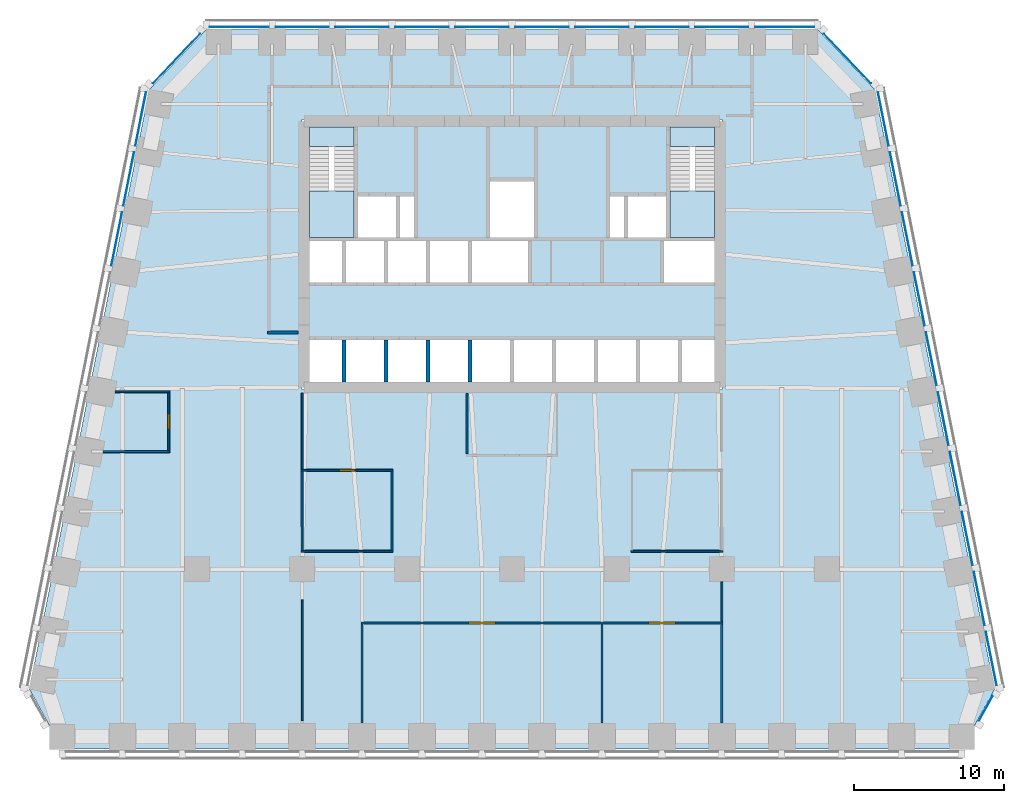
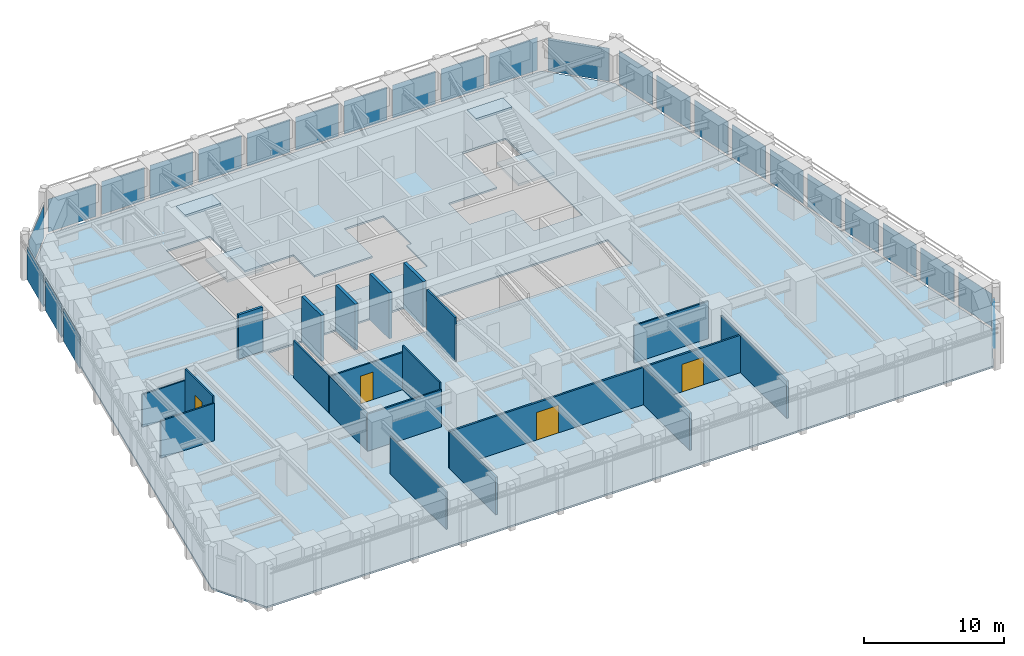
# One storey, part 5 of 9: 26 plates, 21 walls, 5 slabs, 4 doors, 4 openings, 8 elements without a shape of their own.
"""IFC4 building model written with IfcOpenShell, lengths in metres."""

from ifc_helpers import new_model, si_unit, direction, frame, frame_2d, origin, origin_2d, place, context, subcontext, project, spatial, polyline, rectangle, outline, extrude, material, layer, layer_set, type_object, element, fill, aggregate, save


model = new_model("IFC4")

# Units and contexts
model_context = context("Model", 3, precision=1e-05, world=origin(), true_north=direction((0.0, 1.0)))
body_context = subcontext(model_context, "Body", "Model", "MODEL_VIEW")
ifc_project = project(units=[si_unit("LENGTHUNIT", "METRE"), si_unit("AREAUNIT", "SQUARE_METRE"), si_unit("VOLUMEUNIT", "CUBIC_METRE"), si_unit("PLANEANGLEUNIT", "RADIAN"), si_unit("MASSUNIT", "GRAM", prefix="KILO")], contexts=[model_context])

# Site, building, storey
site_placement = place(None, origin())
site = spatial("IfcSite", under=ifc_project, at=site_placement, CompositionType="ELEMENT")
building_placement = place(site_placement, origin())
building = spatial("IfcBuilding", under=site, at=building_placement, Name="Isbrekke Arena Tower", CompositionType="ELEMENT")
storey_placement = place(building_placement, frame((0.0, 0.0, 135.0)))
storey = spatial("IfcBuildingStorey", under=building, at=storey_placement, Name="L30", CompositionType="ELEMENT", Elevation=135.0)

# Curtain wall, plate
ifc_material_1 = material(Name="Glazed aluminium curtain wall", Category="aluminium")
curtain_wall_type = type_object("IfcCurtainWallType", Name="CWM TOWER CURTAIN WALL MID ZONE", PredefinedType="USERDEFINED", material=ifc_material_1)
curtain_wall_1_placement = place(storey_placement, origin())
curtain_wall_1 = element("IfcCurtainWall", 1, at=curtain_wall_1_placement, inside=storey, type_object=curtain_wall_type, Name="CWM curtain wall L30-SE", ObjectType="TOWER CURTAIN WALL MID ZONE", PredefinedType="USERDEFINED")
ifc_material_2 = material(Name="Triple-glazed clear glass unit", Category="glass")
ifc_layer_1 = layer(ifc_material_2, 0.031982421875)
ifc_layer_set_1 = layer_set([ifc_layer_1], Name="CWM-P VISION PANEL")
plate_type = type_object("IfcPlateType", Name="CWM-P VISION PANEL", PredefinedType="CURTAIN_PANEL", material=ifc_layer_set_1)
plate_1_placement = place(storey_placement, frame((31.604248046875, -15.29052734375, 0.02001953125), z_axis=(0.0, 0.0, 1.0), x_axis=(0.481918749773, 0.876215908676, 0.0)))
plate_1 = element("IfcPlate", 2, at=plate_1_placement, type_object=plate_type, Name="CWM-P panel 1", PredefinedType="CURTAIN_PANEL", context=body_context, shape_type="SweptSolid", body=[
    extrude(rectangle(XDim=1.876220703125, YDim=0.031982421875, at=origin_2d()), origin(), (0.0, 0.0, 1.0), 2.8798828125),
])
aggregate(curtain_wall_1, [plate_1])

# Curtain wall, plates
curtain_wall_2_placement = place(storey_placement, origin())
curtain_wall_2 = element("IfcCurtainWall", 3, at=curtain_wall_2_placement, inside=storey, type_object=curtain_wall_type, Name="CWM curtain wall L30-E", ObjectType="TOWER CURTAIN WALL MID ZONE", PredefinedType="USERDEFINED")
plate_2_placement = place(storey_placement, frame((31.9716796875, -11.965576171875, 0.02001953125), z_axis=(0.0, 0.0, 1.0), x_axis=(-0.196116135138, 0.980580675691, 0.0)))
plate_2 = element("IfcPlate", 4, at=plate_2_placement, type_object=plate_type, Name="CWM-P panel 1", PredefinedType="CURTAIN_PANEL", context=body_context, shape_type="SweptSolid", body=[
    extrude(rectangle(XDim=3.629150390625, YDim=0.031982421875, at=origin_2d()), origin(), (0.0, 0.0, 1.0), 2.8798828125),
])
plate_3_placement = place(storey_placement, frame((31.171630859375, -7.965576171875, 0.02001953125), z_axis=(0.0, 0.0, 1.0), x_axis=(-0.196116135138, 0.980580675691, 0.0)))
plate_3 = element("IfcPlate", 5, at=plate_3_placement, type_object=plate_type, Name="CWM-P panel 2", PredefinedType="CURTAIN_PANEL", context=body_context, shape_type="SweptSolid", body=[
    extrude(rectangle(XDim=3.629150390625, YDim=0.031982421875, at=origin_2d()), origin(), (0.0, 0.0, 1.0), 2.8798828125),
])
plate_4_placement = place(storey_placement, frame((30.37158203125, -3.965576171875, 0.02001953125), z_axis=(0.0, 0.0, 1.0), x_axis=(-0.196116135138, 0.980580675691, 0.0)))
plate_4 = element("IfcPlate", 6, at=plate_4_placement, type_object=plate_type, Name="CWM-P panel 3", PredefinedType="CURTAIN_PANEL", context=body_context, shape_type="SweptSolid", body=[
    extrude(rectangle(XDim=3.629150390625, YDim=0.031982421875, at=origin_2d()), origin(), (0.0, 0.0, 1.0), 2.8798828125),
])
plate_5_placement = place(storey_placement, frame((29.571533203125, 0.034423828125, 0.02001953125), z_axis=(0.0, 0.0, 1.0), x_axis=(-0.196116135138, 0.980580675691, 0.0)))
plate_5 = element("IfcPlate", 7, at=plate_5_placement, type_object=plate_type, Name="CWM-P panel 4", PredefinedType="CURTAIN_PANEL", context=body_context, shape_type="SweptSolid", body=[
    extrude(rectangle(XDim=3.629150390625, YDim=0.031982421875, at=origin_2d()), origin(), (0.0, 0.0, 1.0), 2.8798828125),
])
plate_6_placement = place(storey_placement, frame((28.771484375, 4.034423828125, 0.02001953125), z_axis=(0.0, 0.0, 1.0), x_axis=(-0.196116135138, 0.980580675691, 0.0)))
plate_6 = element("IfcPlate", 8, at=plate_6_placement, type_object=plate_type, Name="CWM-P panel 5", PredefinedType="CURTAIN_PANEL", context=body_context, shape_type="SweptSolid", body=[
    extrude(rectangle(XDim=3.629150390625, YDim=0.031982421875, at=origin_2d()), origin(), (0.0, 0.0, 1.0), 2.8798828125),
])
plate_7_placement = place(storey_placement, frame((27.9716796875, 8.034423828125, 0.02001953125), z_axis=(0.0, 0.0, 1.0), x_axis=(-0.196116135138, 0.980580675691, 0.0)))
plate_7 = element("IfcPlate", 9, at=plate_7_placement, type_object=plate_type, Name="CWM-P panel 6", PredefinedType="CURTAIN_PANEL", context=body_context, shape_type="SweptSolid", body=[
    extrude(rectangle(XDim=3.629150390625, YDim=0.031982421875, at=origin_2d()), origin(), (0.0, 0.0, 1.0), 2.8798828125),
])
plate_8_placement = place(storey_placement, frame((27.171630859375, 12.034423828125, 0.02001953125), z_axis=(0.0, 0.0, 1.0), x_axis=(-0.196116135138, 0.980580675691, 0.0)))
plate_8 = element("IfcPlate", 10, at=plate_8_placement, type_object=plate_type, Name="CWM-P panel 7", PredefinedType="CURTAIN_PANEL", context=body_context, shape_type="SweptSolid", body=[
    extrude(rectangle(XDim=3.629150390625, YDim=0.031982421875, at=origin_2d()), origin(), (0.0, 0.0, 1.0), 2.8798828125),
])
plate_9_placement = place(storey_placement, frame((26.37158203125, 16.034423828125, 0.02001953125), z_axis=(0.0, 0.0, 1.0), x_axis=(-0.196116135138, 0.980580675691, 0.0)))
plate_9 = element("IfcPlate", 11, at=plate_9_placement, type_object=plate_type, Name="CWM-P panel 8", PredefinedType="CURTAIN_PANEL", context=body_context, shape_type="SweptSolid", body=[
    extrude(rectangle(XDim=3.629150390625, YDim=0.031982421875, at=origin_2d()), origin(), (0.0, 0.0, 1.0), 2.8798828125),
])
plate_10_placement = place(storey_placement, frame((25.571533203125, 20.034423828125, 0.02001953125), z_axis=(0.0, 0.0, 1.0), x_axis=(-0.196116135138, 0.980580675691, 0.0)))
plate_10 = element("IfcPlate", 12, at=plate_10_placement, type_object=plate_type, Name="CWM-P panel 9", PredefinedType="CURTAIN_PANEL", context=body_context, shape_type="SweptSolid", body=[
    extrude(rectangle(XDim=3.629150390625, YDim=0.031982421875, at=origin_2d()), origin(), (0.0, 0.0, 1.0), 2.8798828125),
])
plate_11_placement = place(storey_placement, frame((24.771484375, 24.034423828125, 0.02001953125), z_axis=(0.0, 0.0, 1.0), x_axis=(-0.196116135138, 0.980580675691, 0.0)))
plate_11 = element("IfcPlate", 13, at=plate_11_placement, type_object=plate_type, Name="CWM-P panel 10", PredefinedType="CURTAIN_PANEL", context=body_context, shape_type="SweptSolid", body=[
    extrude(rectangle(XDim=3.629150390625, YDim=0.031982421875, at=origin_2d()), origin(), (0.0, 0.0, 1.0), 2.8798828125),
])
aggregate(curtain_wall_2, [plate_2, plate_3, plate_4, plate_5, plate_6, plate_7, plate_8, plate_9, plate_10, plate_11])

# Curtain wall, plate
curtain_wall_3_placement = place(storey_placement, origin())
curtain_wall_3 = element("IfcCurtainWall", 14, at=curtain_wall_3_placement, inside=storey, type_object=curtain_wall_type, Name="CWM curtain wall L30-EN", ObjectType="TOWER CURTAIN WALL MID ZONE", PredefinedType="USERDEFINED")
plate_12_placement = place(storey_placement, frame((22.374755859375, 28.06640625, 0.02001953125), z_axis=(0.0, 0.0, 1.0), x_axis=(-0.68874946192, 0.72499943359, 0.0)))
plate_12 = element("IfcPlate", 15, at=plate_12_placement, type_object=plate_type, Name="CWM-P panel 1", PredefinedType="CURTAIN_PANEL", context=body_context, shape_type="SweptSolid", body=[
    extrude(rectangle(XDim=4.558349609375, YDim=0.031982421875, at=origin_2d()), origin(), (0.0, 0.0, 1.0), 2.8798828125),
])
aggregate(curtain_wall_3, [plate_12])

# Curtain wall, plates
curtain_wall_4_placement = place(storey_placement, origin())
curtain_wall_4 = element("IfcCurtainWall", 16, at=curtain_wall_4_placement, inside=storey, type_object=curtain_wall_type, Name="CWM curtain wall L30-N", ObjectType="TOWER CURTAIN WALL MID ZONE", PredefinedType="USERDEFINED")
plate_13_placement = place(storey_placement, frame((18.199951171875, 30.175048828125, 0.02001953125), z_axis=(0.0, 0.0, 1.0), x_axis=(-1.0, 0.0, 0.0)))
plate_13 = element("IfcPlate", 17, at=plate_13_placement, type_object=plate_type, Name="CWM-P panel 1", PredefinedType="CURTAIN_PANEL", context=body_context, shape_type="SweptSolid", body=[
    extrude(rectangle(XDim=3.949951171875, YDim=0.031982421875, at=origin_2d()), origin(), (0.0, 0.0, 1.0), 2.8798828125),
])
plate_14_placement = place(storey_placement, frame((14.0, 30.175048828125, 0.02001953125), z_axis=(0.0, 0.0, 1.0), x_axis=(-1.0, 0.0, 0.0)))
plate_14 = element("IfcPlate", 18, at=plate_14_placement, type_object=plate_type, Name="CWM-P panel 2", PredefinedType="CURTAIN_PANEL", context=body_context, shape_type="SweptSolid", body=[
    extrude(rectangle(XDim=3.550048828125, YDim=0.031982421875, at=origin_2d()), origin(), (0.0, 0.0, 1.0), 2.8798828125),
])
plate_15_placement = place(storey_placement, frame((10.0, 30.175048828125, 0.02001953125), z_axis=(0.0, 0.0, 1.0), x_axis=(-1.0, 0.0, 0.0)))
plate_15 = element("IfcPlate", 19, at=plate_15_placement, type_object=plate_type, Name="CWM-P panel 3", PredefinedType="CURTAIN_PANEL", context=body_context, shape_type="SweptSolid", body=[
    extrude(rectangle(XDim=3.550048828125, YDim=0.031982421875, at=origin_2d()), origin(), (0.0, 0.0, 1.0), 2.8798828125),
])
plate_16_placement = place(storey_placement, frame((6.0, 30.175048828125, 0.02001953125), z_axis=(0.0, 0.0, 1.0), x_axis=(-1.0, 0.0, 0.0)))
plate_16 = element("IfcPlate", 20, at=plate_16_placement, type_object=plate_type, Name="CWM-P panel 4", PredefinedType="CURTAIN_PANEL", context=body_context, shape_type="SweptSolid", body=[
    extrude(rectangle(XDim=3.550048828125, YDim=0.031982421875, at=origin_2d()), origin(), (0.0, 0.0, 1.0), 2.8798828125),
])
plate_17_placement = place(storey_placement, frame((2.0, 30.175048828125, 0.02001953125), z_axis=(0.0, 0.0, 1.0), x_axis=(-1.0, 0.0, 0.0)))
plate_17 = element("IfcPlate", 21, at=plate_17_placement, type_object=plate_type, Name="CWM-P panel 5", PredefinedType="CURTAIN_PANEL", context=body_context, shape_type="SweptSolid", body=[
    extrude(rectangle(XDim=3.550048828125, YDim=0.031982421875, at=origin_2d()), origin(), (0.0, 0.0, 1.0), 2.8798828125),
])
plate_18_placement = place(storey_placement, frame((-2.0, 30.175048828125, 0.02001953125), z_axis=(0.0, 0.0, 1.0), x_axis=(-1.0, 0.0, 0.0)))
plate_18 = element("IfcPlate", 22, at=plate_18_placement, type_object=plate_type, Name="CWM-P panel 6", PredefinedType="CURTAIN_PANEL", context=body_context, shape_type="SweptSolid", body=[
    extrude(rectangle(XDim=3.550048828125, YDim=0.031982421875, at=origin_2d()), origin(), (0.0, 0.0, 1.0), 2.8798828125),
])
plate_19_placement = place(storey_placement, frame((-6.0, 30.175048828125, 0.02001953125), z_axis=(0.0, 0.0, 1.0), x_axis=(-1.0, 0.0, 0.0)))
plate_19 = element("IfcPlate", 23, at=plate_19_placement, type_object=plate_type, Name="CWM-P panel 7", PredefinedType="CURTAIN_PANEL", context=body_context, shape_type="SweptSolid", body=[
    extrude(rectangle(XDim=3.550048828125, YDim=0.031982421875, at=origin_2d()), origin(), (0.0, 0.0, 1.0), 2.8798828125),
])
plate_20_placement = place(storey_placement, frame((-10.0, 30.175048828125, 0.02001953125), z_axis=(0.0, 0.0, 1.0), x_axis=(-1.0, 0.0, 0.0)))
plate_20 = element("IfcPlate", 24, at=plate_20_placement, type_object=plate_type, Name="CWM-P panel 8", PredefinedType="CURTAIN_PANEL", context=body_context, shape_type="SweptSolid", body=[
    extrude(rectangle(XDim=3.550048828125, YDim=0.031982421875, at=origin_2d()), origin(), (0.0, 0.0, 1.0), 2.8798828125),
])
plate_21_placement = place(storey_placement, frame((-14.0, 30.175048828125, 0.02001953125), z_axis=(0.0, 0.0, 1.0), x_axis=(-1.0, 0.0, 0.0)))
plate_21 = element("IfcPlate", 25, at=plate_21_placement, type_object=plate_type, Name="CWM-P panel 9", PredefinedType="CURTAIN_PANEL", context=body_context, shape_type="SweptSolid", body=[
    extrude(rectangle(XDim=3.550048828125, YDim=0.031982421875, at=origin_2d()), origin(), (0.0, 0.0, 1.0), 2.8798828125),
])
plate_22_placement = place(storey_placement, frame((-18.199951171875, 30.175048828125, 0.02001953125), z_axis=(0.0, 0.0, 1.0), x_axis=(-1.0, 0.0, 0.0)))
plate_22 = element("IfcPlate", 26, at=plate_22_placement, type_object=plate_type, Name="CWM-P panel 10", PredefinedType="CURTAIN_PANEL", context=body_context, shape_type="SweptSolid", body=[
    extrude(rectangle(XDim=3.949951171875, YDim=0.031982421875, at=origin_2d()), origin(), (0.0, 0.0, 1.0), 2.8798828125),
])
aggregate(curtain_wall_4, [plate_13, plate_14, plate_15, plate_16, plate_17, plate_18, plate_19, plate_20, plate_21, plate_22])

# Curtain wall, plate
curtain_wall_5_placement = place(storey_placement, origin())
curtain_wall_5 = element("IfcCurtainWall", 27, at=curtain_wall_5_placement, inside=storey, type_object=curtain_wall_type, Name="CWM curtain wall L30-NW", ObjectType="TOWER CURTAIN WALL MID ZONE", PredefinedType="USERDEFINED")
plate_23_placement = place(storey_placement, frame((-22.37451171875, 28.066650390625, 0.02001953125), z_axis=(0.0, 0.0, 1.0), x_axis=(-0.68874946192, -0.72499943359, 0.0)))
plate_23 = element("IfcPlate", 28, at=plate_23_placement, type_object=plate_type, Name="CWM-P panel 1", PredefinedType="CURTAIN_PANEL", context=body_context, shape_type="SweptSolid", body=[
    extrude(rectangle(XDim=4.557373046875, YDim=0.031982421875, at=origin_2d()), origin(), (0.0, 0.0, 1.0), 2.8798828125),
])
aggregate(curtain_wall_5, [plate_23])

# Curtain wall, plates
curtain_wall_6_placement = place(storey_placement, origin())
curtain_wall_6 = element("IfcCurtainWall", 29, at=curtain_wall_6_placement, inside=storey, type_object=curtain_wall_type, Name="CWM curtain wall L30-W", ObjectType="TOWER CURTAIN WALL MID ZONE", PredefinedType="USERDEFINED")
plate_24_placement = place(storey_placement, frame((-24.771484375, 24.034423828125, 0.02001953125), z_axis=(0.0, 0.0, 1.0), x_axis=(-0.196116135138, -0.980580675691, 0.0)))
plate_24 = element("IfcPlate", 30, at=plate_24_placement, type_object=plate_type, Name="CWM-P panel 1", PredefinedType="CURTAIN_PANEL", context=body_context, shape_type="SweptSolid", body=[
    extrude(rectangle(XDim=3.629150390625, YDim=0.031982421875, at=origin_2d()), origin(), (0.0, 0.0, 1.0), 2.8798828125),
])
plate_25_placement = place(storey_placement, frame((-25.571533203125, 20.034423828125, 0.02001953125), z_axis=(0.0, 0.0, 1.0), x_axis=(-0.196116135138, -0.980580675691, 0.0)))
plate_25 = element("IfcPlate", 31, at=plate_25_placement, type_object=plate_type, Name="CWM-P panel 2", PredefinedType="CURTAIN_PANEL", context=body_context, shape_type="SweptSolid", body=[
    extrude(rectangle(XDim=3.629150390625, YDim=0.031982421875, at=origin_2d()), origin(), (0.0, 0.0, 1.0), 2.8798828125),
])
plate_26_placement = place(storey_placement, frame((-26.37158203125, 16.034423828125, 0.02001953125), z_axis=(0.0, 0.0, 1.0), x_axis=(-0.196116135138, -0.980580675691, 0.0)))
plate_26 = element("IfcPlate", 32, at=plate_26_placement, type_object=plate_type, Name="CWM-P panel 3", PredefinedType="CURTAIN_PANEL", context=body_context, shape_type="SweptSolid", body=[
    extrude(rectangle(XDim=3.629150390625, YDim=0.031982421875, at=origin_2d()), origin(), (0.0, 0.0, 1.0), 2.8798828125),
])
aggregate(curtain_wall_6, [plate_24, plate_25, plate_26])

# Slab
ifc_material_3 = material(Name="Concrete B35 (C35/45)", Category="concrete")
ifc_layer_2 = layer(ifc_material_3, 0.14990234375)
ifc_layer_set_2 = layer_set([ifc_layer_2], Name="FS1 COMPOSITE FLOOR 150")
slab_type_1 = type_object("IfcSlabType", Name="FS1 COMPOSITE FLOOR 150", PredefinedType="FLOOR", material=ifc_layer_set_2)
slab_1_placement = place(storey_placement, frame((0.0, 0.0, -0.14990234375)))
element("IfcSlab", 33, at=slab_1_placement, inside=storey, type_object=slab_type_1, Name="FS1 floor slab L30", PredefinedType="FLOOR", context=body_context, shape_type="SweptSolid", body=[
    extrude(outline(polyline([(-30.0, -18.0), (30.0, -18.0), (32.199951171875, -14.0), (24.199951171875, 26.0), (20.39990234375, 30.0), (-20.39990234375, 30.0), (-24.199951171875, 26.0), (-32.199951171875, -14.0), (-30.0, -18.0)]), holes=[polyline([(14.0, 9.39990234375), (14.0, 6.0), (-14.0, 6.0), (-14.0, 9.39990234375), (14.0, 9.39990234375)]), polyline([(-6.39990234375, 19.0), (-6.39990234375, 16.0), (-1.60009765625, 16.0), (-1.60009765625, 20.0), (1.60009765625, 20.0), (1.60009765625, 16.0), (1.199951171875, 16.0), (1.199951171875, 13.0), (-14.0, 13.0), (-14.0, 24.0), (-10.39990234375, 24.0), (-10.39990234375, 19.0), (-6.39990234375, 19.0)]), polyline([(10.0, 13.0), (10.0, 16.0), (6.39990234375, 16.0), (6.39990234375, 19.0), (10.39990234375, 19.0), (10.39990234375, 24.0), (14.0, 24.0), (14.0, 13.0), (10.0, 13.0)])]), origin(), (0.0, 0.0, 1.0), 0.14990234375),
])

# Stair, slabs
ifc_material_4 = material(Name="Concrete B45 (C45/55) precast", Category="concrete")
stair_type = type_object("IfcStairType", Name="ST40 STAIR 1300 WIDE, 24 RISERS 167", PredefinedType="HALF_TURN_STAIR", material=ifc_material_4)
stair_1_placement = place(storey_placement, origin())
stair_1 = element("IfcStair", 34, at=stair_1_placement, inside=storey, type_object=stair_type, Name="ST1 stair L30", PredefinedType="HALF_TURN_STAIR")
ifc_material_5 = material(Name="Concrete B35 (C35/45)", Category="concrete")
ifc_layer_3 = layer(ifc_material_5, 0.199951171875)
ifc_layer_set_3 = layer_set([ifc_layer_3], Name="SL1 STAIR LANDING 200")
slab_type_2 = type_object("IfcSlabType", Name="SL1 STAIR LANDING 200", PredefinedType="LANDING", material=ifc_layer_set_3)
slab_2_placement = place(storey_placement, frame((0.0, 0.0, 1.800048828125)))
slab_2 = element("IfcSlab", 35, at=slab_2_placement, type_object=slab_type_2, Name="ST1 landing 1", PredefinedType="LANDING", context=body_context, shape_type="SweptSolid", body=[
    extrude(outline(polyline([(-13.5, 16.125), (-10.52490234375, 16.125), (-10.52490234375, 19.22998046875), (-13.5, 19.22998046875), (-13.5, 16.125)])), origin(), (0.0, 0.0, 1.0), 0.199951171875),
])
slab_3_placement = place(storey_placement, frame((0.0, 0.0, 3.800048828125)))
slab_3 = element("IfcSlab", 36, at=slab_3_placement, type_object=slab_type_2, Name="ST1 landing 2", PredefinedType="LANDING", context=body_context, shape_type="SweptSolid", body=[
    extrude(outline(polyline([(-13.5, 22.199951171875), (-10.52490234375, 22.199951171875), (-10.52490234375, 23.5), (-13.5, 23.5), (-13.5, 22.199951171875)])), origin(), (0.0, 0.0, 1.0), 0.199951171875),
])
aggregate(stair_1, [slab_2, slab_3])

stair_2_placement = place(storey_placement, origin())
stair_2 = element("IfcStair", 37, at=stair_2_placement, inside=storey, type_object=stair_type, Name="ST2 stair L30", PredefinedType="HALF_TURN_STAIR")
slab_4_placement = place(storey_placement, frame((0.0, 0.0, 1.800048828125)))
slab_4 = element("IfcSlab", 38, at=slab_4_placement, type_object=slab_type_2, Name="ST2 landing 1", PredefinedType="LANDING", context=body_context, shape_type="SweptSolid", body=[
    extrude(outline(polyline([(10.52490234375, 16.125), (13.5, 16.125), (13.5, 19.22998046875), (10.52490234375, 19.22998046875), (10.52490234375, 16.125)])), origin(), (0.0, 0.0, 1.0), 0.199951171875),
])
slab_5_placement = place(storey_placement, frame((0.0, 0.0, 3.800048828125)))
slab_5 = element("IfcSlab", 39, at=slab_5_placement, type_object=slab_type_2, Name="ST2 landing 2", PredefinedType="LANDING", context=body_context, shape_type="SweptSolid", body=[
    extrude(outline(polyline([(10.52490234375, 22.199951171875), (13.5, 22.199951171875), (13.5, 23.5), (10.52490234375, 23.5), (10.52490234375, 22.199951171875)])), origin(), (0.0, 0.0, 1.0), 0.199951171875),
])
aggregate(stair_2, [slab_4, slab_5])

# Walls
ifc_material_6 = material(Name="Concrete B45 (C45/55)", Category="concrete")
ifc_layer_4 = layer(ifc_material_6, 0.25)
ifc_layer_set_4 = layer_set([ifc_layer_4], Name="CW6 SHAFT WALL 250")
wall_type_1 = type_object("IfcWallType", Name="CW6 SHAFT WALL 250", PredefinedType="SHEAR", material=ifc_layer_set_4)
for number, where, z_axis, x_axis, name in (
    (40, (-11.199951171875, 6.5, 0.0), (0.0, 0.0, 1.0), (0.0, 1.0, 0.0), "Core wall SS01 L30"),
    (41, (-8.39990234375, 6.5, 0.0), (0.0, 0.0, 1.0), (0.0, 1.0, 0.0), "Core wall SS02 L30"),
    (42, (-5.60009765625, 6.5, 0.0), (0.0, 0.0, 1.0), (0.0, 1.0, 0.0), "Core wall SS03 L30"),
    (43, (-2.800048828125, 6.5, 0.0), (0.0, 0.0, 1.0), (0.0, 1.0, 0.0), "Core wall SS04 L30"),
):
    element("IfcWall", number, at=place(storey_placement, frame(where, z_axis=z_axis, x_axis=x_axis)), inside=storey, type_object=wall_type_1, Name=name, PredefinedType="SHEAR", context=body_context, shape_type="SweptSolid", body=[
        extrude(rectangle(XDim=2.77490234375, YDim=0.25, at=frame_2d((1.387451171875, 0.0))), origin(), (0.0, 0.0, 1.0), 4.0),
    ])

# Wall, openings, doors
ifc_material_7 = material(Name="Gypsum board partition on steel studs", Category="steel")
ifc_layer_5 = layer(ifc_material_7, 0.14990234375)
ifc_layer_set_5 = layer_set([ifc_layer_5], Name="IW1 PARTITION 150")
wall_type_2 = type_object("IfcWallType", Name="IW1 PARTITION 150", PredefinedType="PARTITIONING", material=ifc_layer_set_5)
wall_1_placement = place(storey_placement, frame((-10.074951171875, -9.60009765625, 0.0), z_axis=(0.0, 0.0, 1.0), x_axis=(1.0, 0.0, 0.0)))
wall_1 = element("IfcWall", 44, at=wall_1_placement, inside=storey, type_object=wall_type_2, Name="IW1 partition 150 L30", PredefinedType="PARTITIONING", context=body_context, shape_type="SweptSolid", body=[
    extrude(rectangle(XDim=24.14990234375, YDim=0.14990234375, at=frame_2d((12.074951171875, 0.0))), origin(), (0.0, 0.0, 1.0), 3.25),
])
opening_1_placement = place(wall_1_placement, frame((7.175048828125, 0.0, 0.0)))
opening_1 = element("IfcOpeningElement", 45, at=opening_1_placement, cuts=wall_1, Name="Opening D13", PredefinedType="OPENING", context=body_context, shape_type="SweptSolid", body=[
    extrude(rectangle(XDim=1.800048828125, YDim=2.39990234375, at=frame_2d((0.89990234375, 1.199951171875))), frame((0.0, 0.08984375, 0.0), z_axis=(0.0, -1.0, 0.0), x_axis=(1.0, 0.0, 0.0)), (0.0, 0.0, 1.0), 0.1796875),
])
opening_2_placement = place(wall_1_placement, frame((19.175048828125, 0.0, 0.0)))
opening_2 = element("IfcOpeningElement", 46, at=opening_2_placement, cuts=wall_1, Name="Opening D13", PredefinedType="OPENING", context=body_context, shape_type="SweptSolid", body=[
    extrude(rectangle(XDim=1.800048828125, YDim=2.39990234375, at=frame_2d((0.89990234375, 1.199951171875))), frame((0.0, 0.08984375, 0.0), z_axis=(0.0, -1.0, 0.0), x_axis=(1.0, 0.0, 0.0)), (0.0, 0.0, 1.0), 0.1796875),
])
ifc_material_8 = material(Name="Timber door pair", Category="wood")
door_type_1 = type_object("IfcDoorType", Name="D13 DOUBLE ROOM DOOR 1800 x 2400", OperationType="DOUBLE_DOOR_SINGLE_SWING", PredefinedType="DOOR", material=ifc_material_8)
door_1_placement = place(opening_1_placement, origin())
door_1 = element("IfcDoor", 47, at=door_1_placement, inside=storey, type_object=door_type_1, Name="D13 staff canteen door L30", OperationType="DOUBLE_DOOR_SINGLE_SWING", OverallHeight=2.39990234375, OverallWidth=1.800048828125, PredefinedType="DOOR", context=body_context, shape_type="SweptSolid", body=[
    extrude(rectangle(XDim=1.800048828125, YDim=2.39990234375, at=frame_2d((0.89990234375, 1.199951171875))), frame((0.0, 0.07470703125, 0.0), z_axis=(0.0, -1.0, 0.0), x_axis=(1.0, 0.0, 0.0)), (0.0, 0.0, 1.0), 0.1494140625),
])
fill(opening_1, door_1)
door_2_placement = place(opening_2_placement, origin())
door_2 = element("IfcDoor", 48, at=door_2_placement, inside=storey, type_object=door_type_1, Name="D13 kitchen door L30", OperationType="DOUBLE_DOOR_SINGLE_SWING", OverallHeight=2.39990234375, OverallWidth=1.800048828125, PredefinedType="DOOR", context=body_context, shape_type="SweptSolid", body=[
    extrude(rectangle(XDim=1.800048828125, YDim=2.39990234375, at=frame_2d((0.89990234375, 1.199951171875))), frame((0.0, 0.07470703125, 0.0), z_axis=(0.0, -1.0, 0.0), x_axis=(1.0, 0.0, 0.0)), (0.0, 0.0, 1.0), 0.1494140625),
])
fill(opening_2, door_2)

# Walls
wall_2_placement = place(storey_placement, frame((-10.0, -16.27490234375, 0.0), z_axis=(0.0, 0.0, 1.0), x_axis=(0.0, 1.0, 0.0)))
element("IfcWall", 49, at=wall_2_placement, inside=storey, type_object=wall_type_2, Name="IW1 partition 150 L30", PredefinedType="PARTITIONING", context=body_context, shape_type="SweptSolid", body=[
    extrude(rectangle(XDim=6.599853515625, YDim=0.14990234375, at=frame_2d((3.2998046875, 0.0))), origin(), (0.0, 0.0, 1.0), 3.25),
])
wall_3_placement = place(storey_placement, frame((-3.0, 1.675048828125, 0.0), z_axis=(0.0, 0.0, 1.0), x_axis=(0.0, 1.0, 0.0)))
element("IfcWall", 50, at=wall_3_placement, inside=storey, type_object=wall_type_2, Name="IW1 partition 150 L30", PredefinedType="PARTITIONING", context=body_context, shape_type="SweptSolid", body=[
    extrude(rectangle(XDim=4.044921875, YDim=0.14990234375, at=frame_2d((2.0224609375, 0.0))), origin(), (0.0, 0.0, 1.0), 3.85009765625),
])
for number, where, z_axis, x_axis, name in (
    (51, (6.0, -16.27490234375, 0.0), (0.0, 0.0, 1.0), (0.0, 1.0, 0.0), "IW1 partition 150 L30"),
    (52, (14.0, -16.27490234375, 0.0), (0.0, 0.0, 1.0), (0.0, 1.0, 0.0), "IW1 partition 150 L30"),
):
    element("IfcWall", number, at=place(storey_placement, frame(where, z_axis=z_axis, x_axis=x_axis)), inside=storey, type_object=wall_type_2, Name=name, PredefinedType="PARTITIONING", context=body_context, shape_type="SweptSolid", body=[
        extrude(rectangle(XDim=6.599853515625, YDim=0.14990234375, at=frame_2d((3.2998046875, 0.0))), origin(), (0.0, 0.0, 1.0), 3.25),
    ])
ifc_material_9 = material(Name="Frameless glazed partition, laminated acoustic glass", Category="glass")
ifc_layer_6 = layer(ifc_material_9, 0.1201171875)
ifc_layer_set_6 = layer_set([ifc_layer_6], Name="IW2 GLAZED PARTITION 120")
wall_type_3 = type_object("IfcWallType", Name="IW2 GLAZED PARTITION 120", PredefinedType="PARTITIONING", material=ifc_layer_set_6)
for number, where, z_axis, x_axis, name in (
    (53, (-14.06005859375, -4.800048828125, 0.0), (0.0, 0.0, 1.0), (1.0, 0.0, 0.0), "IW2 glazed partition 120 L30"),
    (54, (7.93994140625, -4.800048828125, 0.0), (0.0, 0.0, 1.0), (1.0, 0.0, 0.0), "IW2 glazed partition 120 L30"),
):
    element("IfcWall", number, at=place(storey_placement, frame(where, z_axis=z_axis, x_axis=x_axis)), inside=storey, type_object=wall_type_3, Name=name, PredefinedType="PARTITIONING", context=body_context, shape_type="SweptSolid", body=[
        extrude(rectangle(XDim=6.1201171875, YDim=0.1201171875, at=frame_2d((3.06005859375, 0.0))), origin(), (0.0, 0.0, 1.0), 3.25),
    ])

# Wall, opening, door
wall_4_placement = place(storey_placement, frame((-14.06005859375, 0.60009765625, 0.0), z_axis=(0.0, 0.0, 1.0), x_axis=(1.0, 0.0, 0.0)))
wall_4 = element("IfcWall", 55, at=wall_4_placement, inside=storey, type_object=wall_type_3, Name="IW2 glazed partition 120 L30", PredefinedType="PARTITIONING", context=body_context, shape_type="SweptSolid", body=[
    extrude(rectangle(XDim=6.1201171875, YDim=0.1201171875, at=frame_2d((3.06005859375, 0.0))), origin(), (0.0, 0.0, 1.0), 3.25),
])
opening_3_placement = place(wall_4_placement, frame((2.56005859375, 0.0, 0.0)))
opening_3 = element("IfcOpeningElement", 56, at=opening_3_placement, cuts=wall_4, Name="Opening D11", PredefinedType="OPENING", context=body_context, shape_type="SweptSolid", body=[
    extrude(rectangle(XDim=1.0, YDim=2.39990234375, at=frame_2d((0.5, 1.199951171875))), frame((0.0, 0.074951171875, 0.0), z_axis=(0.0, -1.0, 0.0), x_axis=(1.0, 0.0, 0.0)), (0.0, 0.0, 1.0), 0.14990234375),
])
ifc_material_10 = material(Name="Frameless glazed door", Category="glass")
door_type_2 = type_object("IfcDoorType", Name="D11 GLAZED MEETING ROOM DOOR 1000 x 2400", OperationType="SINGLE_SWING_RIGHT", PredefinedType="DOOR", material=ifc_material_10)
door_3_placement = place(opening_3_placement, origin())
door_3 = element("IfcDoor", 57, at=door_3_placement, inside=storey, type_object=door_type_2, Name="D11 meeting room door L30", OperationType="SINGLE_SWING_RIGHT", OverallHeight=2.39990234375, OverallWidth=1.0, PredefinedType="DOOR", context=body_context, shape_type="SweptSolid", body=[
    extrude(rectangle(XDim=1.0, YDim=2.39990234375, at=frame_2d((0.5, 1.199951171875))), frame((0.0, 0.059814453125, 0.0), z_axis=(0.0, -1.0, 0.0), x_axis=(1.0, 0.0, 0.0)), (0.0, 0.0, 1.0), 0.11962890625),
])
fill(opening_3, door_3)

# Walls
wall_5_placement = place(storey_placement, frame((-27.272705078125, 1.840087890625, 0.0), z_axis=(0.0, 0.0, 1.0), x_axis=(1.0, 0.0, 0.0)))
element("IfcWall", 58, at=wall_5_placement, inside=storey, type_object=wall_type_3, Name="IW2 glazed partition 120 L30", PredefinedType="PARTITIONING", context=body_context, shape_type="SweptSolid", body=[
    extrude(rectangle(XDim=4.4326171875, YDim=0.1201171875, at=frame_2d((2.21630859375, 0.0))), origin(), (0.0, 0.0, 1.0), 3.25),
])
wall_6_placement = place(storey_placement, frame((-26.472900390625, 5.840087890625, 0.0), z_axis=(0.0, 0.0, 1.0), x_axis=(1.0, 0.0, 0.0)))
element("IfcWall", 59, at=wall_6_placement, inside=storey, type_object=wall_type_3, Name="IW2 glazed partition 120 L30", PredefinedType="PARTITIONING", context=body_context, shape_type="SweptSolid", body=[
    extrude(rectangle(XDim=3.6328125, YDim=0.1201171875, at=frame_2d((1.81640625, 0.0))), origin(), (0.0, 0.0, 1.0), 2.842041015625),
])

# Wall, opening, door
wall_7_placement = place(storey_placement, frame((-22.89990234375, 1.89990234375, 0.0), z_axis=(0.0, 0.0, 1.0), x_axis=(0.0, 1.0, 0.0)))
wall_7 = element("IfcWall", 60, at=wall_7_placement, inside=storey, type_object=wall_type_3, Name="IW2 glazed partition 120 L30", PredefinedType="PARTITIONING", context=body_context, shape_type="SweptSolid", body=[
    extrude(rectangle(XDim=3.880126953125, YDim=0.1201171875, at=frame_2d((1.93994140625, 0.0))), origin(), (0.0, 0.0, 1.0), 3.85009765625),
])
opening_4_placement = place(wall_7_placement, frame((1.43994140625, 0.0, 0.0)))
opening_4 = element("IfcOpeningElement", 61, at=opening_4_placement, cuts=wall_7, Name="Opening D11", PredefinedType="OPENING", context=body_context, shape_type="SweptSolid", body=[
    extrude(rectangle(XDim=1.0, YDim=2.39990234375, at=frame_2d((0.5, 1.199951171875))), frame((0.0, 0.074951171875, 0.0), z_axis=(0.0, -1.0, 0.0), x_axis=(1.0, 0.0, 0.0)), (0.0, 0.0, 1.0), 0.14990234375),
])
door_4_placement = place(opening_4_placement, origin())
door_4 = element("IfcDoor", 62, at=door_4_placement, inside=storey, type_object=door_type_2, Name="D11 project room door L30", OperationType="SINGLE_SWING_RIGHT", OverallHeight=2.39990234375, OverallWidth=1.0, PredefinedType="DOOR", context=body_context, shape_type="SweptSolid", body=[
    extrude(rectangle(XDim=1.0, YDim=2.39990234375, at=frame_2d((0.5, 1.199951171875))), frame((0.0, 0.059814453125, 0.0), z_axis=(0.0, -1.0, 0.0), x_axis=(1.0, 0.0, 0.0)), (0.0, 0.0, 1.0), 0.11962890625),
])
fill(opening_4, door_4)

# Walls
wall_8_placement = place(storey_placement, frame((-14.0, -4.739990234375, 0.0), z_axis=(0.0, 0.0, 1.0), x_axis=(0.0, 1.0, 0.0)))
element("IfcWall", 63, at=wall_8_placement, inside=storey, type_object=wall_type_3, Name="IW2 glazed partition 120 L30", PredefinedType="PARTITIONING", context=body_context, shape_type="SweptSolid", body=[
    extrude(rectangle(XDim=5.280029296875, YDim=0.1201171875, at=frame_2d((2.64013671875, 0.0))), origin(), (0.0, 0.0, 1.0), 3.25),
])
wall_9_placement = place(storey_placement, frame((-8.0, -4.739990234375, 0.0), z_axis=(0.0, 0.0, 1.0), x_axis=(0.0, 1.0, 0.0)))
element("IfcWall", 64, at=wall_9_placement, inside=storey, type_object=wall_type_3, Name="IW2 glazed partition 120 L30", PredefinedType="PARTITIONING", context=body_context, shape_type="SweptSolid", body=[
    extrude(rectangle(XDim=5.280029296875, YDim=0.1201171875, at=frame_2d((2.64013671875, 0.0))), origin(), (0.0, 0.0, 1.0), 3.85009765625),
])
wall_10_placement = place(storey_placement, frame((-13.9990234375, -16.10009765625, 0.0), z_axis=(0.0, 0.0, 1.0), x_axis=(0.0, 1.0, 0.0)))
element("IfcWall", 65, at=wall_10_placement, inside=storey, type_object=wall_type_3, Name="IW2 glazed partition 120 L30", PredefinedType="PARTITIONING", context=body_context, shape_type="SweptSolid", body=[
    extrude(rectangle(XDim=8.050048828125, YDim=0.1201171875, at=frame_2d((4.02490234375, 0.0))), origin(), (0.0, 0.0, 1.0), 3.25),
])
wall_11_placement = place(storey_placement, frame((-13.9990234375, 0.679931640625, 0.0), z_axis=(0.0, 0.0, 1.0), x_axis=(0.0, 1.0, 0.0)))
element("IfcWall", 66, at=wall_11_placement, inside=storey, type_object=wall_type_3, Name="IW2 glazed partition 120 L30", PredefinedType="PARTITIONING", context=body_context, shape_type="SweptSolid", body=[
    extrude(rectangle(XDim=5.070068359375, YDim=0.1201171875, at=frame_2d((2.53515625, 0.0))), origin(), (0.0, 0.0, 1.0), 3.25),
])
wall_12_placement = place(storey_placement, frame((14.0, -9.5048828125, 0.0), z_axis=(0.0, 0.0, 1.0), x_axis=(0.0, 1.0, 0.0)))
element("IfcWall", 67, at=wall_12_placement, inside=storey, type_object=wall_type_3, Name="IW2 glazed partition 120 L30", PredefinedType="PARTITIONING", context=body_context, shape_type="SweptSolid", body=[
    extrude(rectangle(XDim=2.65478515625, YDim=0.1201171875, at=frame_2d((1.327392578125, 0.0))), origin(), (0.0, 0.0, 1.0), 3.25),
])
ifc_material_11 = material(Name="Gypsum board fire-cell wall on steel studs, two layers each side", Category="steel")
ifc_layer_7 = layer(ifc_material_11, 0.199951171875)
ifc_layer_set_7 = layer_set([ifc_layer_7], Name="IW3 FIRE-CELL WALL 200")
wall_type_4 = type_object("IfcWallType", Name="IW3 FIRE-CELL WALL 200", PredefinedType="PARTITIONING", material=ifc_layer_set_7)
wall_13_placement = place(storey_placement, frame((-16.300048828125, 9.800048828125, 0.0), z_axis=(0.0, 0.0, 1.0), x_axis=(1.0, 0.0, 0.0)))
element("IfcWall", 68, at=wall_13_placement, inside=storey, type_object=wall_type_4, Name="IW3 fire-cell wall 200 L30", PredefinedType="PARTITIONING", context=body_context, shape_type="SweptSolid", body=[
    extrude(rectangle(XDim=2.02001953125, YDim=0.199951171875, at=frame_2d((1.010009765625, 0.0))), origin(), (0.0, 0.0, 1.0), 3.85009765625),
])

save(model, "model.ifc")
